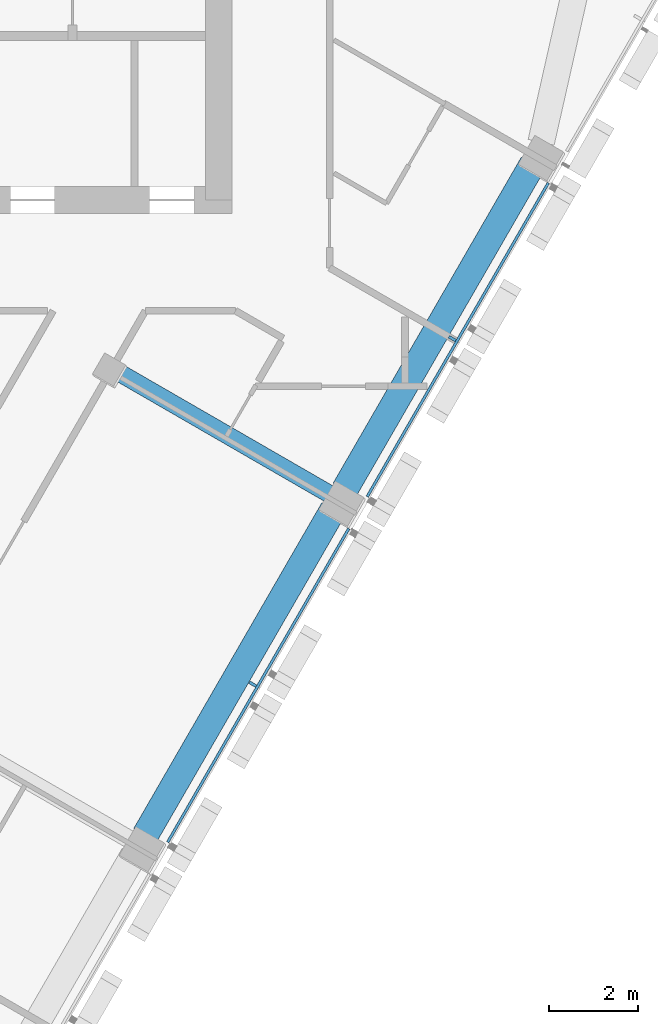
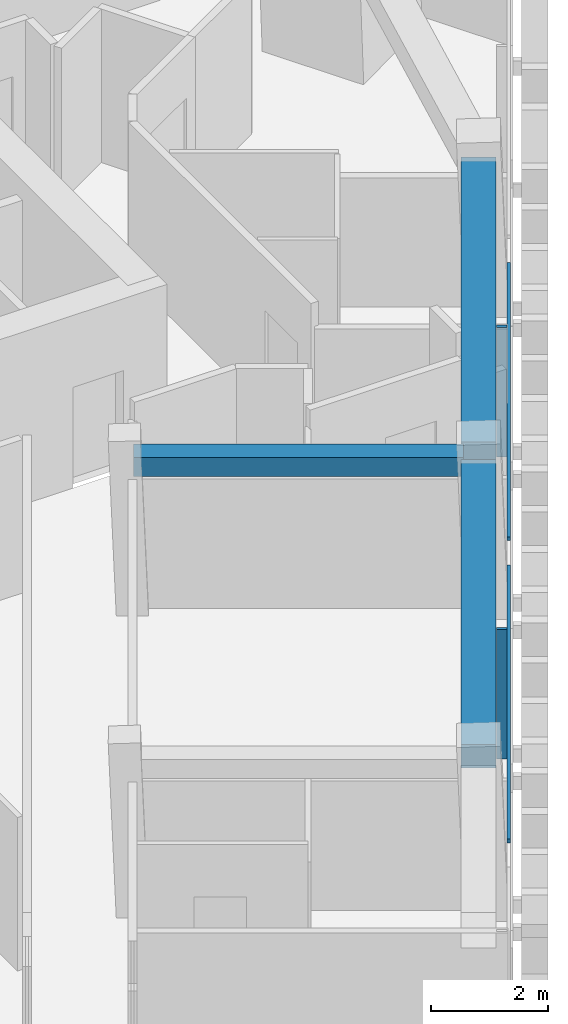
# One storey, part 4 of 15: 4 members, 3 beams, 1 element without a shape of its own.
"""IFC4 building model written with IfcOpenShell, lengths in metres."""

import ifcopenshell
import ifcopenshell.guid

model = None  # the IFC model being written
_history = None  # IfcOwnerHistory: only IFC2X3 demands one
_inside = {}  # id of a spatial element -> (the spatial element, [elements in it])
_under = {}  # id of a project, library or spatial element -> (it, [spatial elements below it])
_declared = {}  # id of a project -> (the project, [libraries it declares])
_typed = {}  # id of a type object -> (the type object, [elements of that type])
_made_of = {}  # id of a material, layer set ... -> (it, [elements and type objects made of it])


def new_model(schema):
    """Start an empty IFC model of exactly this schema.

    Asked for "IFC4X3", IfcOpenShell would pick the latest addendum, in which some entities
    have other attributes; the version numbers below select the first issue.
    IFC2X3 requires an IfcOwnerHistory on every rooted entity: one is made here for all.
    """
    global model, _history
    if schema == "IFC4X3":
        model = ifcopenshell.file(schema_version=(4, 3, 0, 0))
    else:
        model = ifcopenshell.file(schema=schema)
    _inside.clear()
    _under.clear()
    _declared.clear()
    _typed.clear()
    _made_of.clear()
    _history = None
    if model.schema == "IFC2X3":
        org = make("IfcOrganization", Name="unknown")
        user = make(
            "IfcPersonAndOrganization",
            ThePerson=make("IfcPerson", FamilyName="unknown"),
            TheOrganization=org,
        )
        app = make(
            "IfcApplication",
            ApplicationDeveloper=org,
            Version="unknown",
            ApplicationFullName="unknown",
            ApplicationIdentifier="unknown",
        )
        _history = make(
            "IfcOwnerHistory",
            OwningUser=user,
            OwningApplication=app,
            ChangeAction="ADDED",
            CreationDate=0,
        )
    return model


def make(cls, **values):
    """One entity of the class cls with the attributes given. An attribute that is None is left unset."""
    return model.create_entity(
        cls, **{name: value for name, value in values.items() if value is not None}
    )


def rooted(cls, **values):
    """An entity with a GlobalId (a new one), such as an element, a storey or a relation."""
    return make(cls, GlobalId=ifcopenshell.guid.new(), OwnerHistory=_history, **values)


def si_unit(unit_type, name, prefix=None):
    """IfcSIUnit, for example si_unit("LENGTHUNIT", "METRE", prefix="MILLI")."""
    return make("IfcSIUnit", UnitType=unit_type, Prefix=prefix, Name=name)


def assignment(units):
    """IfcUnitAssignment: the units of a project."""
    return None if units is None else make("IfcUnitAssignment", Units=units)


def point(xyz):
    """IfcCartesianPoint."""
    return None if xyz is None else make("IfcCartesianPoint", Coordinates=xyz)


def direction(xyz):
    """IfcDirection."""
    return None if xyz is None else make("IfcDirection", DirectionRatios=xyz)


def frame(location, z_axis=None, x_axis=None):
    """IfcAxis2Placement3D, a coordinate frame: its origin and axes. An axis left out is left unset."""
    return make(
        "IfcAxis2Placement3D",
        Location=point(location),
        Axis=direction(z_axis),
        RefDirection=direction(x_axis),
    )


def frame_2d(location, x_axis=None):
    """IfcAxis2Placement2D, a coordinate frame in the plane: its origin and x axis."""
    return make(
        "IfcAxis2Placement2D", Location=point(location), RefDirection=direction(x_axis)
    )


def origin():
    """The frame at (0, 0, 0) with its axes left unset."""
    return frame((0.0, 0.0, 0.0))


def origin_2d():
    """The frame at (0, 0) in the plane with its x axis left unset."""
    return frame_2d((0.0, 0.0))


def place(relative_to, where):
    """IfcLocalPlacement: puts the frame where relative to a parent placement (None: the world)."""
    return make(
        "IfcLocalPlacement", PlacementRelTo=relative_to, RelativePlacement=where
    )


def context(
    kind, dimensions, precision=None, world=None, true_north=None, identifier=None
):
    """IfcGeometricRepresentationContext, for example the 3D "Model" context."""
    return make(
        "IfcGeometricRepresentationContext",
        ContextIdentifier=identifier,
        ContextType=kind,
        CoordinateSpaceDimension=dimensions,
        Precision=precision,
        WorldCoordinateSystem=world,
        TrueNorth=true_north,
    )


def subcontext(parent, identifier, kind, view, scale=None):
    """IfcGeometricRepresentationSubContext, for example "Body" below "Model"."""
    return make(
        "IfcGeometricRepresentationSubContext",
        ContextIdentifier=identifier,
        ContextType=kind,
        ParentContext=parent,
        TargetScale=scale,
        TargetView=view,
    )


def project(units=None, contexts=None):
    """IfcProject with its units and contexts."""
    return rooted(
        "IfcProject",
        Name="project",
        RepresentationContexts=contexts,
        UnitsInContext=assignment(units),
    )


def spatial(cls, under=None, at=None, **own):
    """A site, building, storey or space (cls), placed at a placement, below another one or the project."""
    s = rooted(cls, ObjectPlacement=at, **own)
    if under is not None:
        _under.setdefault(under.id(), (under, []))[1].append(s)
    return s


def profile(cls, at=None, kind="AREA", **sizes):
    """A parametric profile (cls). Its sizes go by their IFC names, for example OverallWidth=200.0."""
    return make(cls, ProfileType=kind, Position=at, **sizes)


def rectangle(**sizes):
    """IfcRectangleProfileDef."""
    return profile("IfcRectangleProfileDef", **sizes)


def extrude(swept, where, along, depth):
    """IfcExtrudedAreaSolid: the profile swept, set in the frame where, extruded along a direction by depth."""
    return make(
        "IfcExtrudedAreaSolid",
        SweptArea=swept,
        Position=where,
        ExtrudedDirection=direction(along),
        Depth=depth,
    )


def shape(context_of_items, identifier, shape_type, items):
    """IfcShapeRepresentation: the items that make up one representation, for example the "Body"."""
    return make(
        "IfcShapeRepresentation",
        ContextOfItems=context_of_items,
        RepresentationIdentifier=identifier,
        RepresentationType=shape_type,
        Items=items,
    )


def material(Name=None, Category=None):
    """IfcMaterial."""
    return make("IfcMaterial", Name=Name, Category=Category)


def layer(
    of_material, thickness, ventilated=None, Name=None, Category=None, Priority=None
):
    """IfcMaterialLayer: one layer of a wall or slab, of a material (None: an air gap)."""
    return make(
        "IfcMaterialLayer",
        Material=of_material,
        LayerThickness=thickness,
        IsVentilated=ventilated,
        Name=Name,
        Category=Category,
        Priority=Priority,
    )


def layer_set(layers, Name=None):
    """IfcMaterialLayerSet."""
    return make("IfcMaterialLayerSet", MaterialLayers=layers, LayerSetName=Name)


def material_profile(
    of_material, cross_section, Name=None, Category=None, Priority=None
):
    """IfcMaterialProfile: a cross section and its material."""
    return make(
        "IfcMaterialProfile",
        Name=Name,
        Material=of_material,
        Profile=cross_section,
        Priority=Priority,
        Category=Category,
    )


def profile_set(profiles, Name=None, composite=None):
    """IfcMaterialProfileSet."""
    return make(
        "IfcMaterialProfileSet",
        Name=Name,
        MaterialProfiles=profiles,
        CompositeProfile=composite,
    )


def made_of(thing, what):
    """Note that an element or type object is made of a material, layer set ...; save() writes the relation."""
    if what is not None:
        _made_of.setdefault(what.id(), (what, []))[1].append(thing)
    return thing


def type_object(cls, material=None, **own):
    """A type object (cls), such as IfcWallType, which elements share."""
    return made_of(rooted(cls, **own), material)


def element(
    cls,
    number,
    at=None,
    inside=None,
    cuts=None,
    type_object=None,
    material=None,
    context=None,
    identifier="Body",
    shape_type=None,
    held_by="IfcProductDefinitionShape",
    body=None,
    shapes=None,
    **own,
):
    """One element of the class cls, such as IfcWall. Its Tag is "e" and its number.

    at: its placement. inside: the storey or other place that contains it. cuts: it is an
    opening in that element (IfcRelVoidsElement). A single representation is given by context,
    identifier, shape_type and body (its items); several are given by shapes. held_by: the class
    of the entity that holds the representations. save() writes the other relations.
    """
    e = rooted(cls, Tag="e%d" % number, ObjectPlacement=at, **own)
    if body is not None:
        shapes = [shape(context, identifier, shape_type, body)]
    if shapes is not None:
        e.Representation = make(held_by, Representations=shapes)
    if inside is not None:
        _inside.setdefault(inside.id(), (inside, []))[1].append(e)
    if cuts is not None:
        rooted(
            "IfcRelVoidsElement", RelatingBuildingElement=cuts, RelatedOpeningElement=e
        )
    if type_object is not None:
        _typed.setdefault(type_object.id(), (type_object, []))[1].append(e)
    return made_of(e, material)


def aggregate(whole, parts):
    """IfcRelAggregates: a whole, such as a stair, and the parts it consists of."""
    return rooted("IfcRelAggregates", RelatingObject=whole, RelatedObjects=parts)


def save(model, path):
    """Write the relations noted so far, then the file.

    IfcRelAggregates (storeys below a building ...), IfcRelContainedInSpatialStructure (elements
    in a storey), IfcRelDefinesByType, IfcRelAssociatesMaterial and IfcRelDeclares: one each for
    every whole, place, type object, material and project.
    """
    for whole, parts in _under.values():
        aggregate(whole, parts)
    for where, things in _inside.values():
        rooted(
            "IfcRelContainedInSpatialStructure",
            RelatedElements=things,
            RelatingStructure=where,
        )
    for kind, things in _typed.values():
        rooted("IfcRelDefinesByType", RelatedObjects=things, RelatingType=kind)
    for what, things in _made_of.values():
        rooted("IfcRelAssociatesMaterial", RelatedObjects=things, RelatingMaterial=what)
    for by, libraries in _declared.values():
        rooted("IfcRelDeclares", RelatingContext=by, RelatedDefinitions=libraries)
    model.write(path)


model = new_model("IFC4")

# Units and contexts
model_context = context("Model", 3, precision=1e-05, world=origin(), true_north=direction((0.0, 1.0)))
body_context = subcontext(model_context, "Body", "Model", "MODEL_VIEW")
ifc_project = project(units=[si_unit("LENGTHUNIT", "METRE"), si_unit("AREAUNIT", "SQUARE_METRE"), si_unit("VOLUMEUNIT", "CUBIC_METRE"), si_unit("PLANEANGLEUNIT", "RADIAN"), si_unit("MASSUNIT", "GRAM", prefix="KILO")], contexts=[model_context])

# Site, building, storey
site_placement = place(None, origin())
site = spatial("IfcSite", under=ifc_project, at=site_placement, CompositionType="ELEMENT")
building_placement = place(site_placement, origin())
building = spatial("IfcBuilding", under=site, at=building_placement, Name="Altiplano Prism Tower", CompositionType="ELEMENT")
storey_placement = place(building_placement, frame((0.0, 0.0, 250.0)))
storey = spatial("IfcBuildingStorey", under=building, at=storey_placement, Name="L64", CompositionType="ELEMENT", Elevation=250.0)

# Curtain wall, members
ifc_material_1 = material(Name="Aluminium and glass", Category="aluminium")
ifc_layer = layer(ifc_material_1, 0.280029296875)
ifc_layer_set = layer_set([ifc_layer], Name="Aluminium and glass")
curtain_wall_type = type_object("IfcCurtainWallType", Name="CW1 typical co-living unitised curtain wall", PredefinedType="NOTDEFINED", material=ifc_layer_set)
curtain_wall_placement = place(storey_placement, origin())
curtain_wall = element("IfcCurtainWall", 1, at=curtain_wall_placement, inside=storey, type_object=curtain_wall_type, Name="CW1 curtain wall south-east face L64", PredefinedType="NOTDEFINED")
ifc_material_2 = material(Name="Aluminium", Category="aluminium")
ifc_material_profile_1 = material_profile(ifc_material_2, rectangle(XDim=0.179931640625, YDim=0.06494140625, at=origin_2d()), Name="CW1 mullion 65 x 180")
ifc_profile_set_1 = profile_set([ifc_material_profile_1], Name="Aluminium")
member_type_1 = type_object("IfcMemberType", Name="CW1 mullion 65 x 180", PredefinedType="MULLION", material=ifc_profile_set_1)
member_1_placement = place(storey_placement, frame((98.067138671875, 82.17724609375, 0.0), z_axis=(0.0, 0.0, 1.0), x_axis=(-0.866025403636, 0.500000000257, 0.0)))
member_1 = element("IfcMember", 2, at=member_1_placement, type_object=member_type_1, Name="CW1 mullion", PredefinedType="MULLION", context=body_context, shape_type="SweptSolid", body=[
    extrude(rectangle(XDim=0.179931640625, YDim=0.06494140625, at=origin_2d()), origin(), (0.0, 0.0, 1.0), 2.699951171875),
])
member_2_placement = place(storey_placement, frame((102.567138671875, 89.971435546875, 0.0), z_axis=(0.0, 0.0, 1.0), x_axis=(-0.866025403636, 0.500000000257, 0.0)))
member_2 = element("IfcMember", 3, at=member_2_placement, type_object=member_type_1, Name="CW1 mullion", PredefinedType="MULLION", context=body_context, shape_type="SweptSolid", body=[
    extrude(rectangle(XDim=0.179931640625, YDim=0.06494140625, at=origin_2d()), origin(), (0.0, 0.0, 1.0), 2.699951171875),
])
ifc_material_profile_2 = material_profile(ifc_material_2, rectangle(XDim=0.06005859375, YDim=0.080078125, at=origin_2d()), Name="CW1 transom 80 x 60")
ifc_profile_set_2 = profile_set([ifc_material_profile_2], Name="Aluminium")
member_type_2 = type_object("IfcMemberType", Name="CW1 transom 80 x 60", PredefinedType="USERDEFINED", material=ifc_profile_set_2)
member_3_placement = place(storey_placement, frame((96.148193359375, 78.61376953125, 1.10009765625), z_axis=(0.500008722908, 0.866020367552, 0.0), x_axis=(-0.866020367552, 0.500008722908, 0.0)))
member_3 = element("IfcMember", 4, at=member_3_placement, type_object=member_type_2, Name="CW1 transom", ObjectType="TRANSOM", PredefinedType="USERDEFINED", context=body_context, shape_type="SweptSolid", body=[
    extrude(rectangle(XDim=0.06005859375, YDim=0.080078125, at=origin_2d()), origin(), (0.0, 0.0, 1.0), 8.169677734375),
])
member_4_placement = place(storey_placement, frame((100.648193359375, 86.407958984375, 1.10009765625), z_axis=(0.500008722908, 0.866020367552, 0.0), x_axis=(-0.866020367552, 0.500008722908, 0.0)))
member_4 = element("IfcMember", 5, at=member_4_placement, type_object=member_type_2, Name="CW1 transom", ObjectType="TRANSOM", PredefinedType="USERDEFINED", context=body_context, shape_type="SweptSolid", body=[
    extrude(rectangle(XDim=0.06005859375, YDim=0.080078125, at=origin_2d()), origin(), (0.0, 0.0, 1.0), 8.169677734375),
])
aggregate(curtain_wall, [member_1, member_3, member_2, member_4])

# Beams
ifc_material_3 = material(Name="Concrete C60/75", Category="concrete")
ifc_material_profile_3 = material_profile(ifc_material_3, rectangle(XDim=0.60009765625, YDim=0.5, at=origin_2d()), Name="Edge beam 600x500")
ifc_profile_set_3 = profile_set([ifc_material_profile_3], Name="Concrete C60/75")
beam_type_1 = type_object("IfcBeamType", Name="Edge beam 600x500", PredefinedType="SPANDREL", material=ifc_profile_set_3)
for number, where, z_axis, x_axis, name in (
    (6, (95.639404296875, 78.76953125, 2.949951171875), (0.500011199594, 0.866018937599, 0.0), (-0.866018937599, 0.500011199594, 0.0), "Edge beam P22-P23 L65"),
    (7, (100.139404296875, 86.563720703125, 2.949951171875), (0.500011199594, 0.866018937599, 0.0), (-0.866018937599, 0.500011199594, 0.0), "Edge beam P23-P24 L65"),
):
    element("IfcBeam", number, at=place(storey_placement, frame(where, z_axis=z_axis, x_axis=x_axis)), inside=storey, type_object=beam_type_1, Name=name, PredefinedType="SPANDREL", context=body_context, shape_type="SweptSolid", body=[
        extrude(rectangle(XDim=0.60009765625, YDim=0.5, at=origin_2d()), origin(), (0.0, 0.0, 1.0), 8.489990234375),
    ])
ifc_material_profile_4 = material_profile(ifc_material_3, rectangle(XDim=0.39990234375, YDim=0.39990234375, at=origin_2d()), Name="Tie beam 400x400")
ifc_profile_set_4 = profile_set([ifc_material_profile_4], Name="Concrete C60/75")
beam_type_2 = type_object("IfcBeamType", Name="Tie beam 400x400", PredefinedType="BEAM", material=ifc_profile_set_4)
beam_placement = place(storey_placement, frame((94.90673828125, 89.290283203125, 3.0), z_axis=(0.866015459562, -0.500017223503, 0.0), x_axis=(0.500017223503, 0.866015459562, 0.0)))
element("IfcBeam", 8, at=beam_placement, inside=storey, type_object=beam_type_2, Name="Tie beam I23 L65", PredefinedType="BEAM", context=body_context, shape_type="SweptSolid", body=[
    extrude(rectangle(XDim=0.39990234375, YDim=0.39990234375, at=origin_2d()), origin(), (0.0, 0.0, 1.0), 5.639892578125),
])

save(model, "model.ifc")
